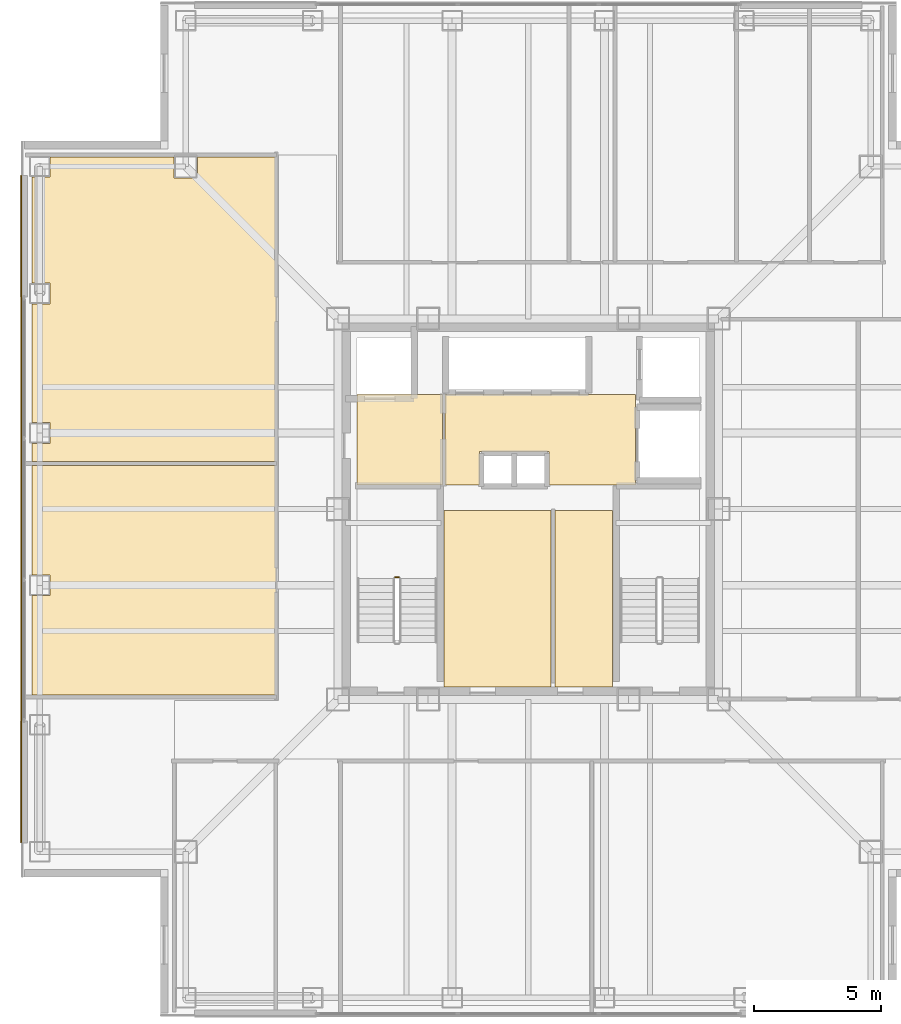
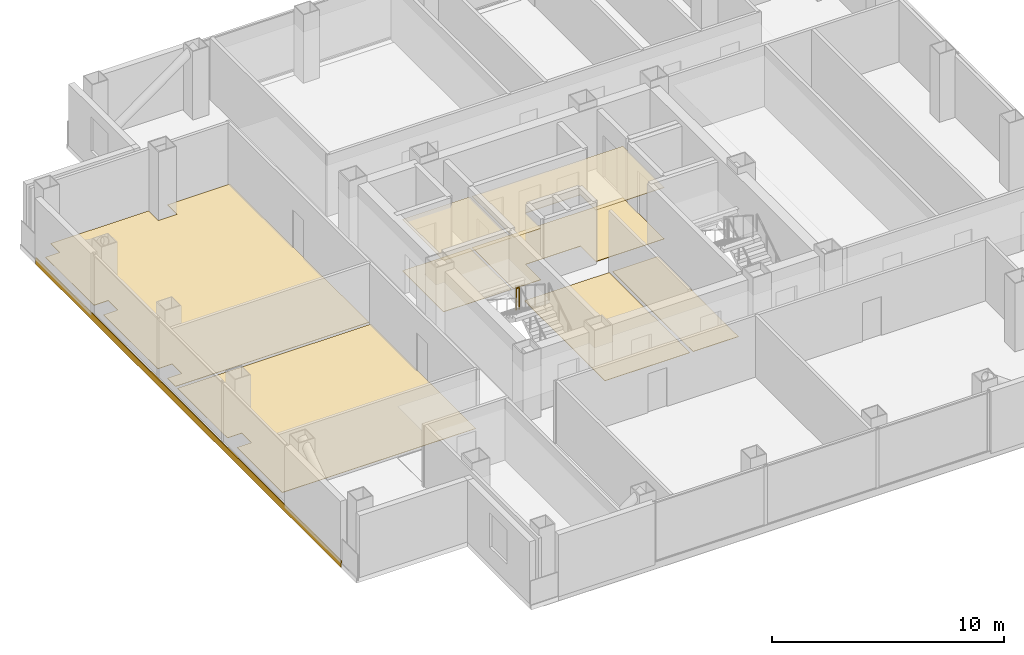
# One storey, part 13 of 16: 9 coverings, 1 railing.
"""IFC4 building model written with IfcOpenShell, lengths in metres."""

from ifc_helpers import new_model, si_unit, direction, frame, frame_2d, origin, origin_2d, place, context, subcontext, project, spatial, polyline, rectangle, circle, outline, extrude, material, layer, layer_set, type_object, element, save


model = new_model("IFC4")

# Units and contexts
model_context = context("Model", 3, precision=1e-05, world=origin(), true_north=direction((0.0, 1.0)))
body_context = subcontext(model_context, "Body", "Model", "MODEL_VIEW")
ifc_project = project(units=[si_unit("LENGTHUNIT", "METRE"), si_unit("AREAUNIT", "SQUARE_METRE"), si_unit("VOLUMEUNIT", "CUBIC_METRE"), si_unit("PLANEANGLEUNIT", "RADIAN"), si_unit("MASSUNIT", "GRAM", prefix="KILO")], contexts=[model_context])

# Site, building, storey
site_placement = place(None, origin())
site = spatial("IfcSite", under=ifc_project, at=site_placement, CompositionType="ELEMENT")
building_placement = place(site_placement, origin())
building = spatial("IfcBuilding", under=site, at=building_placement, Name="Trevonay Congress Spire", CompositionType="ELEMENT")
storey_placement = place(building_placement, frame((0.0, 0.0, 223.800048828125)))
storey = spatial("IfcBuildingStorey", under=building, at=storey_placement, Name="L58", CompositionType="ELEMENT", Elevation=223.800048828125)

# Coverings
ifc_material_1 = material(Name="Acoustic Mineral Fibre Board", Category="gypsum")
ifc_layer_1 = layer(ifc_material_1, 0.02490234375, Name="Acoustic Mineral Fibre Board")
ifc_layer_set_1 = layer_set([ifc_layer_1], Name="Acoustic Mineral Fibre Board")
covering_type_1 = type_object("IfcCoveringType", Name="COV-CEIL-ACOUSTIC", PredefinedType="CEILING", material=ifc_layer_set_1)
covering_1_placement = place(storey_placement, frame((0.0, 0.0, 2.699951171875)))
element("IfcCovering", 1, at=covering_1_placement, inside=storey, type_object=covering_type_1, Name="L58 Firefighting Lift Lobby West acoustic suspended ceiling", PredefinedType="CEILING", context=body_context, shape_type="SweptSolid", body=[
    extrude(outline(polyline([(-6.75, 0.9599609375), (-3.3798828125, 0.9599609375), (-3.3798828125, 4.52001953125), (-6.75, 4.52001953125), (-6.75, 0.9599609375)])), origin(), (0.0, 0.0, 1.0), 0.02490234375),
])
covering_2_placement = place(storey_placement, frame((0.0, 0.0, 2.699951171875)))
element("IfcCovering", 2, at=covering_2_placement, inside=storey, type_object=covering_type_1, Name="L58 Central and High-Rise Passenger Lift Lobby acoustic suspended ceiling", PredefinedType="CEILING", context=body_context, shape_type="SweptSolid", body=[
    extrude(outline(polyline([(-3.280029296875, 0.949951171875), (-1.919921875, 0.949951171875), (-1.919921875, 2.280029296875), (0.820068359375, 2.280029296875), (0.820068359375, 0.949951171875), (4.219970703125, 0.949951171875), (4.219970703125, 4.52001953125), (-3.280029296875, 4.52001953125), (-3.280029296875, 0.949951171875)])), origin(), (0.0, 0.0, 1.0), 0.02490234375),
])
ifc_material_2 = material(Name="Polished Granite Floor Tile", Category="masonry")
ifc_layer_2 = layer(ifc_material_2, 0.02001953125, Name="Polished Granite Floor Tile")
ifc_layer_set_2 = layer_set([ifc_layer_2], Name="Polished Granite Floor Tile")
covering_type_2 = type_object("IfcCoveringType", Name="COV-FLOOR-STONE", PredefinedType="FLOORING", material=ifc_layer_set_2)
covering_3_placement = place(storey_placement, origin())
element("IfcCovering", 3, at=covering_3_placement, inside=storey, type_object=covering_type_2, Name="L58 Firefighting Lift Lobby West floor finish", PredefinedType="FLOORING", context=body_context, shape_type="SweptSolid", body=[
    extrude(outline(polyline([(-6.75, 0.9599609375), (-3.3798828125, 0.9599609375), (-3.3798828125, 4.52001953125), (-6.75, 4.52001953125), (-6.75, 0.9599609375)])), origin(), (0.0, 0.0, 1.0), 0.02001953125),
])
covering_4_placement = place(storey_placement, origin())
element("IfcCovering", 4, at=covering_4_placement, inside=storey, type_object=covering_type_2, Name="L58 Central and High-Rise Passenger Lift Lobby floor finish", PredefinedType="FLOORING", context=body_context, shape_type="SweptSolid", body=[
    extrude(outline(polyline([(-3.280029296875, 0.949951171875), (-1.919921875, 0.949951171875), (-1.919921875, 2.280029296875), (0.820068359375, 2.280029296875), (0.820068359375, 0.949951171875), (4.219970703125, 0.949951171875), (4.219970703125, 4.52001953125), (-3.280029296875, 4.52001953125), (-3.280029296875, 0.949951171875)])), origin(), (0.0, 0.0, 1.0), 0.02001953125),
])
covering_5_placement = place(storey_placement, origin())
element("IfcCovering", 5, at=covering_5_placement, inside=storey, type_object=covering_type_2, Name="L58 Translation Equipment Hub floor finish", PredefinedType="FLOORING", context=body_context, shape_type="SweptSolid", body=[
    extrude(outline(polyline([(-3.320068359375, -7.0), (0.89990234375, -7.0), (0.89990234375, -0.050048828125), (-3.320068359375, -0.050048828125), (-3.320068359375, -7.0)])), origin(), (0.0, 0.0, 1.0), 0.02001953125),
])
covering_6_placement = place(storey_placement, origin())
element("IfcCovering", 6, at=covering_6_placement, inside=storey, type_object=covering_type_2, Name="L58 Floor Supplies Store floor finish", PredefinedType="FLOORING", context=body_context, shape_type="SweptSolid", body=[
    extrude(outline(polyline([(1.06005859375, -7.0), (3.320068359375, -7.0), (3.320068359375, -0.050048828125), (1.06005859375, -0.050048828125), (1.06005859375, -7.0)])), origin(), (0.0, 0.0, 1.0), 0.02001953125),
])
covering_7_placement = place(storey_placement, origin())
element("IfcCovering", 7, at=covering_7_placement, inside=storey, type_object=covering_type_2, Name="L58 Architectural Stone Gallery Shop floor finish", PredefinedType="FLOORING", context=body_context, shape_type="SweptSolid", body=[
    extrude(outline(polyline([(-19.550048828125, 1.719970703125), (-9.929931640625, 1.719970703125), (-9.929931640625, -7.320068359375), (-19.550048828125, -7.320068359375), (-19.550048828125, -3.409912109375), (-18.840087890625, -3.409912109375), (-18.840087890625, -2.590087890625), (-19.550048828125, -2.590087890625), (-19.550048828125, 1.719970703125)])), origin(), (0.0, 0.0, 1.0), 0.02001953125),
])
covering_8_placement = place(storey_placement, origin())
element("IfcCovering", 8, at=covering_8_placement, inside=storey, type_object=covering_type_2, Name="L58 Marine Instruments Showroom Shop floor finish", PredefinedType="FLOORING", context=body_context, shape_type="SweptSolid", body=[
    extrude(outline(polyline([(-9.929931640625, 13.8701171875), (-9.929931640625, 1.8798828125), (-19.550048828125, 1.8798828125), (-19.550048828125, 2.590087890625), (-18.840087890625, 2.590087890625), (-18.840087890625, 3.409912109375), (-19.550048828125, 3.409912109375), (-19.550048828125, 8.090087890625), (-18.840087890625, 8.090087890625), (-18.840087890625, 8.909912109375), (-19.550048828125, 8.909912109375), (-19.550048828125, 13.090087890625), (-18.840087890625, 13.090087890625), (-18.840087890625, 13.8701171875), (-13.9599609375, 13.8701171875), (-13.9599609375, 13.0400390625), (-13.0400390625, 13.0400390625), (-13.0400390625, 13.8701171875), (-9.929931640625, 13.8701171875)])), origin(), (0.0, 0.0, 1.0), 0.02001953125),
])
ifc_material_3 = material(Name="Pale Anodised Aluminium EN AW-6063-T6", Category="aluminium")
ifc_layer_3 = layer(ifc_material_3, 0.0400390625, Name="Pale Anodised Aluminium EN AW-6063-T6")
ifc_layer_set_3 = layer_set([ifc_layer_3], Name="Pale Anodised Aluminium EN AW-6063-T6")
covering_type_3 = type_object("IfcCoveringType", Name="COV-SPANDREL-PALE-METAL", PredefinedType="CLADDING", material=ifc_layer_set_3)
covering_9_placement = place(storey_placement, frame((-19.97998046875, -13.14990234375, -0.239990234375), z_axis=(0.0, 0.0, 1.0), x_axis=(0.0, 1.0, 0.0)))
element("IfcCovering", 9, at=covering_9_placement, inside=storey, type_object=covering_type_3, Name="L58 W pale-metal slab-edge spandrel cladding", PredefinedType="CLADDING", context=body_context, shape_type="SweptSolid", body=[
    extrude(rectangle(XDim=26.2998046875, YDim=0.0400390625, at=frame_2d((13.14990234375, 0.0))), origin(), (0.0, 0.0, 1.0), 0.35986328125),
])

# Railing
railing_type = type_object("IfcRailingType", Name="RAL-STAIR-GUARD-110", PredefinedType="GUARDRAIL", material=ifc_material_3)
railing_placement = place(storey_placement, frame((-5.10009765625, -2.679931640625, 1.800048828125)))
element("IfcRailing", 10, at=railing_placement, inside=storey, type_object=railing_type, Name="L58 ST-1 stair guard 2", PredefinedType="GUARDRAIL", context=body_context, shape_type="SweptSolid", body=[
    extrude(circle(Radius=0.02392578125, at=origin_2d()), frame((0.0, 0.0, 1.1259765625), z_axis=(-1.0, 0.0, 0.0), x_axis=(0.0, -1.0, 0.0)), (0.0, 0.0, 1.0), 0.14990234375),
    extrude(circle(Radius=0.02099609375, at=origin_2d()), origin(), (0.0, 0.0, 1.0), 1.101806640625),
    extrude(circle(Radius=0.02099609375, at=origin_2d()), frame((-0.14990234375, 0.0, 0.0)), (0.0, 0.0, 1.0), 1.101806640625),
])

save(model, "model.ifc")
